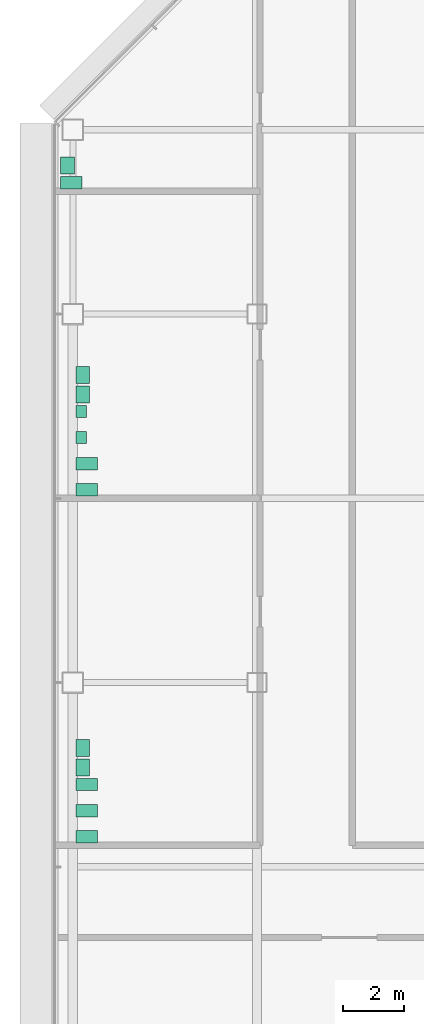
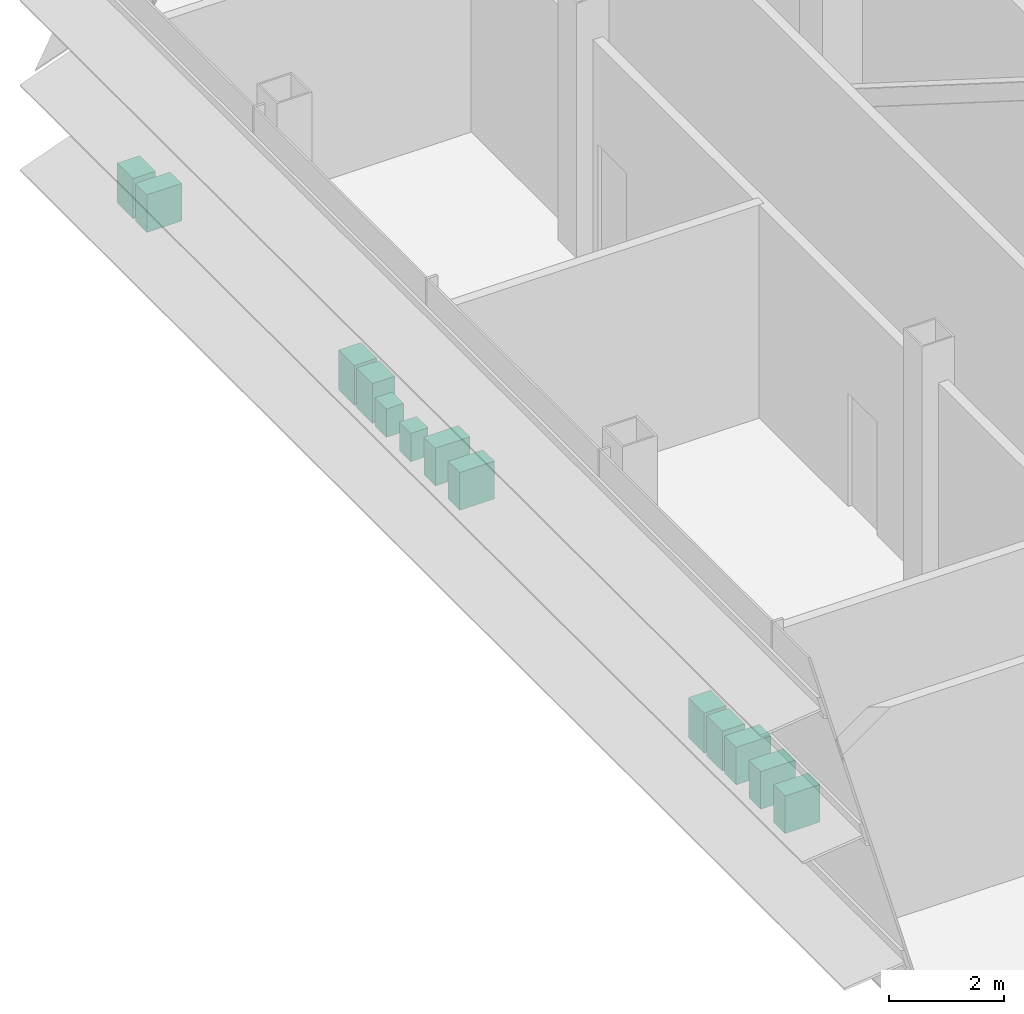
# One storey, part 23 of 24: 13 sanitary terminals.
"""IFC4 building model written with IfcOpenShell, lengths in metres."""

from ifc_helpers import new_model, si_unit, direction, frame, origin, origin_2d, place, context, subcontext, project, spatial, rectangle, extrude, element, save


model = new_model("IFC4")

# Units and contexts
model_context = context("Model", 3, precision=1e-05, world=origin(), true_north=direction((0.0, 1.0)))
body_context = subcontext(model_context, "Body", "Model", "MODEL_VIEW")
ifc_project = project(units=[si_unit("LENGTHUNIT", "METRE"), si_unit("AREAUNIT", "SQUARE_METRE"), si_unit("VOLUMEUNIT", "CUBIC_METRE"), si_unit("PLANEANGLEUNIT", "RADIAN"), si_unit("MASSUNIT", "GRAM", prefix="KILO")], contexts=[model_context])

# Site, building, storey
site_placement = place(None, origin())
site = spatial("IfcSite", under=ifc_project, at=site_placement, CompositionType="ELEMENT")
building_placement = place(site_placement, origin())
building = spatial("IfcBuilding", under=site, at=building_placement, Name="Sorahane Residences", CompositionType="ELEMENT")
storey_placement = place(building_placement, frame((0.0, 0.0, 161.800048828125)))
storey = spatial("IfcBuildingStorey", under=building, at=storey_placement, Name="L37", CompositionType="ELEMENT", Elevation=161.800048828125)

# Sanitary terminals
for number, where, z_axis, x_axis, name in (
    (1, (-5.550048828125, 18.97998046875, 0.0), (0.0, 0.0, 1.0), (0.0, 1.0, 0.0), "WC pan Women's toilets 37"),
    (2, (-5.550048828125, 19.830078125, 0.0), (0.0, 0.0, 1.0), (0.0, 1.0, 0.0), "WC pan Women's toilets 37"),
    (3, (-5.550048828125, 20.679931640625, 0.0), (0.0, 0.0, 1.0), (0.0, 1.0, 0.0), "WC pan Women's toilets 37"),
):
    element("IfcSanitaryTerminal", number, at=place(storey_placement, frame(where, z_axis=z_axis, x_axis=x_axis)), inside=storey, Name=name, PredefinedType="TOILETPAN", context=body_context, shape_type="SweptSolid", body=[
        extrude(rectangle(XDim=0.39990234375, YDim=0.699951171875, at=origin_2d()), origin(), (0.0, 0.0, 1.0), 0.800048828125),
    ])
for number, where, z_axis, x_axis, name in (
    (4, (-5.675048828125, 21.235107421875, 0.0), (0.0, 0.0, 1.0), (0.0, 1.0, 0.0), "Wash basin Women's toilets 37"),
    (5, (-5.675048828125, 21.864990234375, 0.0), (0.0, 0.0, 1.0), (0.0, 1.0, 0.0), "Wash basin Women's toilets 37"),
):
    element("IfcSanitaryTerminal", number, at=place(storey_placement, frame(where, z_axis=z_axis, x_axis=x_axis)), inside=storey, Name=name, PredefinedType="WASHHANDBASIN", context=body_context, shape_type="SweptSolid", body=[
        extrude(rectangle(XDim=0.550048828125, YDim=0.449951171875, at=origin_2d()), origin(), (0.0, 0.0, 1.0), 0.85009765625),
    ])
for number, where, z_axis, x_axis, name in (
    (6, (-5.550048828125, 30.280029296875, 0.0), (0.0, 0.0, 1.0), (0.0, 1.0, 0.0), "WC pan Men's toilets 37"),
    (7, (-5.550048828125, 31.1298828125, 0.0), (0.0, 0.0, 1.0), (0.0, 1.0, 0.0), "WC pan Men's toilets 37"),
):
    element("IfcSanitaryTerminal", number, at=place(storey_placement, frame(where, z_axis=z_axis, x_axis=x_axis)), inside=storey, Name=name, PredefinedType="TOILETPAN", context=body_context, shape_type="SweptSolid", body=[
        extrude(rectangle(XDim=0.39990234375, YDim=0.699951171875, at=origin_2d()), origin(), (0.0, 0.0, 1.0), 0.800048828125),
    ])
for number, where, z_axis, x_axis, name in (
    (8, (-5.72509765625, 31.97998046875, 0.0), (0.0, 0.0, 1.0), (0.0, 1.0, 0.0), "Urinal Men's toilets 37"),
    (9, (-5.72509765625, 32.830078125, 0.0), (0.0, 0.0, 1.0), (0.0, 1.0, 0.0), "Urinal Men's toilets 37"),
):
    element("IfcSanitaryTerminal", number, at=place(storey_placement, frame(where, z_axis=z_axis, x_axis=x_axis)), inside=storey, Name=name, PredefinedType="URINAL", context=body_context, shape_type="SweptSolid", body=[
        extrude(rectangle(XDim=0.39990234375, YDim=0.35009765625, at=origin_2d()), origin(), (0.0, 0.0, 1.0), 0.60009765625),
    ])
for number, where, z_axis, x_axis, name in (
    (10, (-5.675048828125, 33.385009765625, 0.0), (0.0, 0.0, 1.0), (0.0, 1.0, 0.0), "Wash basin Men's toilets 37"),
    (11, (-5.675048828125, 34.014892578125, 0.0), (0.0, 0.0, 1.0), (0.0, 1.0, 0.0), "Wash basin Men's toilets 37"),
):
    element("IfcSanitaryTerminal", number, at=place(storey_placement, frame(where, z_axis=z_axis, x_axis=x_axis)), inside=storey, Name=name, PredefinedType="WASHHANDBASIN", context=body_context, shape_type="SweptSolid", body=[
        extrude(rectangle(XDim=0.550048828125, YDim=0.449951171875, at=origin_2d()), origin(), (0.0, 0.0, 1.0), 0.85009765625),
    ])
sanitary_terminal_1_placement = place(storey_placement, frame((-6.050048828125, 40.280029296875, 0.0), z_axis=(0.0, 0.0, 1.0), x_axis=(0.0, 1.0, 0.0)))
element("IfcSanitaryTerminal", 12, at=sanitary_terminal_1_placement, inside=storey, Name="WC pan Accessible toilets 37", PredefinedType="TOILETPAN", context=body_context, shape_type="SweptSolid", body=[
    extrude(rectangle(XDim=0.39990234375, YDim=0.699951171875, at=origin_2d()), origin(), (0.0, 0.0, 1.0), 0.800048828125),
])
sanitary_terminal_2_placement = place(storey_placement, frame((-6.175048828125, 40.8349609375, 0.0), z_axis=(0.0, 0.0, 1.0), x_axis=(0.0, 1.0, 0.0)))
element("IfcSanitaryTerminal", 13, at=sanitary_terminal_2_placement, inside=storey, Name="Wash basin Accessible toilets 37", PredefinedType="WASHHANDBASIN", context=body_context, shape_type="SweptSolid", body=[
    extrude(rectangle(XDim=0.550048828125, YDim=0.449951171875, at=origin_2d()), origin(), (0.0, 0.0, 1.0), 0.85009765625),
])

save(model, "model.ifc")
